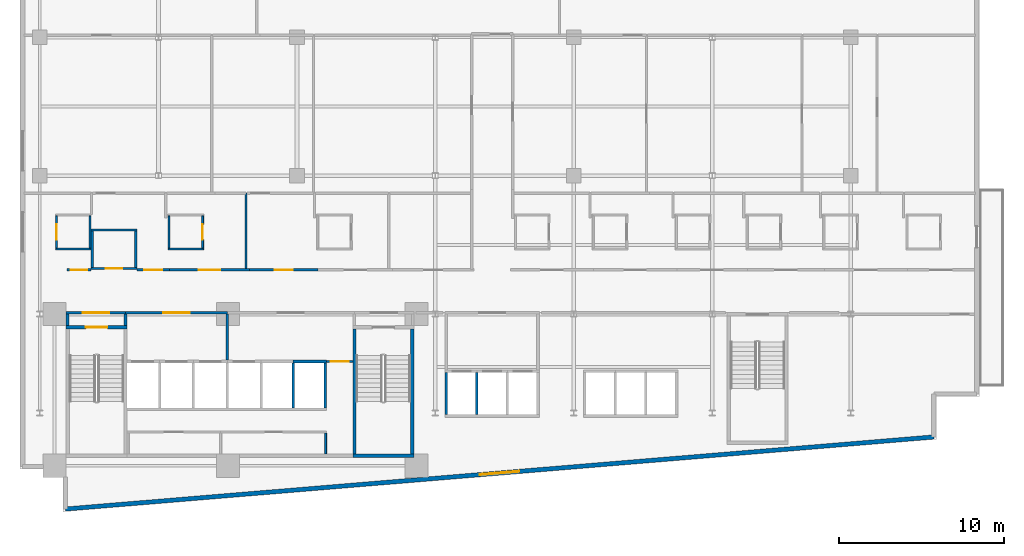
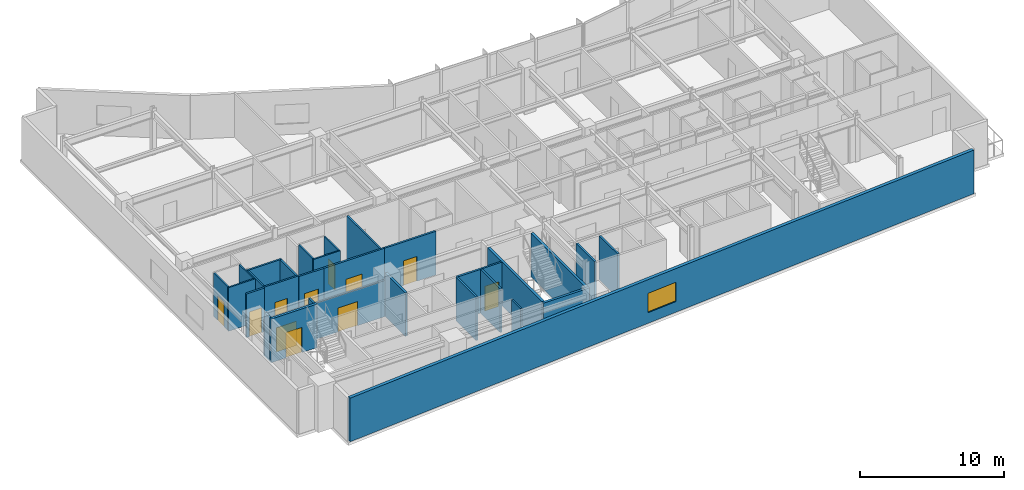
# One storey, part 10 of 19: 32 walls, 11 doors, 1 window, 12 openings.
"""IFC4 building model written with IfcOpenShell, lengths in metres."""

from ifc_helpers import new_model, si_unit, direction, frame, frame_2d, origin, place, context, subcontext, project, spatial, rectangle, extrude, material, layer, layer_set, type_object, element, fill, save


model = new_model("IFC4")

# Units and contexts
model_context = context("Model", 3, precision=1e-05, world=origin(), true_north=direction((0.0, 1.0)))
body_context = subcontext(model_context, "Body", "Model", "MODEL_VIEW")
ifc_project = project(units=[si_unit("LENGTHUNIT", "METRE"), si_unit("AREAUNIT", "SQUARE_METRE"), si_unit("VOLUMEUNIT", "CUBIC_METRE"), si_unit("PLANEANGLEUNIT", "RADIAN"), si_unit("MASSUNIT", "GRAM", prefix="KILO")], contexts=[model_context])

# Site, building, storey
site_placement = place(None, origin())
site = spatial("IfcSite", under=ifc_project, at=site_placement, CompositionType="ELEMENT")
building_placement = place(site_placement, origin())
building = spatial("IfcBuilding", under=site, at=building_placement, Name="Varnakote Quay Hospital", CompositionType="ELEMENT")
storey_placement = place(building_placement, frame((0.0, 0.0, 50.14990234375)))
storey = spatial("IfcBuildingStorey", under=building, at=storey_placement, Name="L12", CompositionType="ELEMENT", Elevation=50.14990234375)

# Wall
ifc_material_1 = material(Name="Fire-rated acoustic gypsum stud wall", Category="gypsum")
ifc_layer_1 = layer(ifc_material_1, 0.159912109375)
ifc_layer_set_1 = layer_set([ifc_layer_1], Name="Fire-rated acoustic gypsum stud wall")
wall_type_1 = type_object("IfcWallType", Name="WL-COMP-160", PredefinedType="PARTITIONING", material=ifc_layer_set_1)
wall_1_placement = place(storey_placement, frame((2.8798828125, 11.300048828125, 0.0), z_axis=(0.0, 0.0, 1.0), x_axis=(0.0, 1.0, 0.0)))
element("IfcWall", 1, at=wall_1_placement, inside=storey, type_object=wall_type_1, Name="L12 West Stair Vestibule West Wall", PredefinedType="PARTITIONING", context=body_context, shape_type="SweptSolid", body=[
    extrude(rectangle(XDim=0.699951171875, YDim=0.159912109375, at=frame_2d((0.35009765625, 0.0))), origin(), (0.0, 0.0, 1.0), 3.710205078125),
])

# Wall, opening, door
wall_2_placement = place(storey_placement, frame((2.800048828125, 12.080078125, 0.0), z_axis=(0.0, 0.0, 1.0), x_axis=(1.0, 0.0, 0.0)))
wall_2 = element("IfcWall", 2, at=wall_2_placement, inside=storey, type_object=wall_type_1, Name="L12 West Stair Vestibule Smoke Wall", PredefinedType="PARTITIONING", context=body_context, shape_type="SweptSolid", body=[
    extrude(rectangle(XDim=3.599853515625, YDim=0.159912109375, at=frame_2d((1.7998046875, 0.0))), origin(), (0.0, 0.0, 1.0), 3.072998046875),
])
opening_1_placement = place(wall_2_placement, frame((1.0, 0.0, 0.0)))
opening_1 = element("IfcOpeningElement", 3, at=opening_1_placement, cuts=wall_2, Name="Opening D-ST1L-L12", PredefinedType="OPENING", context=body_context, shape_type="SweptSolid", body=[
    extrude(rectangle(XDim=1.60009765625, YDim=2.050048828125, at=frame_2d((0.800048828125, 1.02490234375))), frame((0.0, 0.08984375, 0.0), z_axis=(0.0, -1.0, 0.0), x_axis=(1.0, 0.0, 0.0)), (0.0, 0.0, 1.0), 0.179931640625),
])
ifc_material_2 = material(Name="Fire-rated double smoke lobby door")
door_type_1 = type_object("IfcDoorType", Name="DR-LOBBY-FD60S-1600x2150", OperationType="NOTDEFINED", PredefinedType="DOOR", material=ifc_material_2)
door_1_placement = place(opening_1_placement, origin())
door_1 = element("IfcDoor", 4, at=door_1_placement, inside=storey, type_object=door_type_1, Name="L12 West Stair Vestibule Smoke Door", OperationType="DOUBLE_DOOR_SINGLE_SWING", OverallHeight=2.050048828125, OverallWidth=1.60009765625, PredefinedType="DOOR", context=body_context, shape_type="SweptSolid", body=[
    extrude(rectangle(XDim=1.60009765625, YDim=2.050048828125, at=frame_2d((0.800048828125, 1.02490234375))), frame((0.0, 0.02490234375, 0.0), z_axis=(0.0, -1.0, 0.0), x_axis=(1.0, 0.0, 0.0)), (0.0, 0.0, 1.0), 0.050048828125),
])
fill(opening_1, door_1)

# Wall
wall_3_placement = place(storey_placement, frame((6.39990234375, 11.300048828125, 0.0), z_axis=(0.0, 0.0, 1.0), x_axis=(0.0, 1.0, 0.0)))
element("IfcWall", 5, at=wall_3_placement, inside=storey, type_object=wall_type_1, Name="L12 Firefighting Lobby West Wall", PredefinedType="PARTITIONING", context=body_context, shape_type="SweptSolid", body=[
    extrude(rectangle(XDim=0.699951171875, YDim=0.159912109375, at=frame_2d((0.35009765625, 0.0))), origin(), (0.0, 0.0, 1.0), 3.710205078125),
])

# Wall, opening, door
wall_4_placement = place(storey_placement, frame((6.39990234375, 12.080078125, 0.0), z_axis=(0.0, 0.0, 1.0), x_axis=(1.0, 0.0, 0.0)))
wall_4 = element("IfcWall", 6, at=wall_4_placement, inside=storey, type_object=wall_type_1, Name="L12 Firefighting Lift Lobby Compartment Wall", PredefinedType="PARTITIONING", context=body_context, shape_type="SweptSolid", body=[
    extrude(rectangle(XDim=6.18017578125, YDim=0.159912109375, at=frame_2d((3.090087890625, 0.0))), origin(), (0.0, 0.0, 1.0), 3.072998046875),
])
opening_2_placement = place(wall_4_placement, frame((2.2900390625, 0.0, 0.0)))
opening_2 = element("IfcOpeningElement", 7, at=opening_2_placement, cuts=wall_4, Name="Opening D-FFL-L12", PredefinedType="OPENING", context=body_context, shape_type="SweptSolid", body=[
    extrude(rectangle(XDim=1.60009765625, YDim=2.050048828125, at=frame_2d((0.800048828125, 1.02490234375))), frame((0.0, 0.08984375, 0.0), z_axis=(0.0, -1.0, 0.0), x_axis=(1.0, 0.0, 0.0)), (0.0, 0.0, 1.0), 0.179931640625),
])
door_2_placement = place(opening_2_placement, origin())
door_2 = element("IfcDoor", 8, at=door_2_placement, inside=storey, type_object=door_type_1, Name="L12 Firefighting Smoke Vestibule Door", OperationType="DOUBLE_DOOR_SINGLE_SWING", OverallHeight=2.050048828125, OverallWidth=1.60009765625, PredefinedType="DOOR", context=body_context, shape_type="SweptSolid", body=[
    extrude(rectangle(XDim=1.60009765625, YDim=2.050048828125, at=frame_2d((0.800048828125, 1.02490234375))), frame((0.0, 0.02490234375, 0.0), z_axis=(0.0, -1.0, 0.0), x_axis=(1.0, 0.0, 0.0)), (0.0, 0.0, 1.0), 0.050048828125),
])
fill(opening_2, door_2)

# Walls
wall_5_placement = place(storey_placement, frame((12.580078125, 9.2099609375, 0.0), z_axis=(0.0, 0.0, 1.0), x_axis=(0.0, 1.0, 0.0)))
element("IfcWall", 9, at=wall_5_placement, inside=storey, type_object=wall_type_1, Name="L12 Firefighting to Service Lobby Wall", PredefinedType="PARTITIONING", context=body_context, shape_type="SweptSolid", body=[
    extrude(rectangle(XDim=2.7900390625, YDim=0.159912109375, at=frame_2d((1.39501953125, 0.0))), origin(), (0.0, 0.0, 1.0), 3.710205078125),
])
ifc_material_3 = material(Name="Moisture-resistant bathroom partition", Category="gypsum")
ifc_layer_2 = layer(ifc_material_3, 0.114990234375)
ifc_layer_set_2 = layer_set([ifc_layer_2], Name="Moisture-resistant bathroom partition")
wall_type_2 = type_object("IfcWallType", Name="WL-ENS-115", PredefinedType="PARTITIONING", material=ifc_layer_set_2)
wall_6_placement = place(storey_placement, frame((2.155029296875, 15.952392578125, 0.0), z_axis=(0.0, 0.0, 1.0), x_axis=(1.0, 0.0, 0.0)))
element("IfcWall", 10, at=wall_6_placement, inside=storey, type_object=wall_type_2, Name="L12 Inpatient En-Suite Bathroom 01 S Wall", PredefinedType="PARTITIONING", context=body_context, shape_type="SweptSolid", body=[
    extrude(rectangle(XDim=2.14990234375, YDim=0.114990234375, at=frame_2d((1.074951171875, 0.0))), origin(), (0.0, 0.0, 1.0), 3.710205078125),
])

# Wall, opening, door
wall_7_placement = place(storey_placement, frame((2.21240234375, 16.010009765625, 0.0), z_axis=(0.0, 0.0, 1.0), x_axis=(0.0, 1.0, 0.0)))
wall_7 = element("IfcWall", 11, at=wall_7_placement, inside=storey, type_object=wall_type_2, Name="L12 Inpatient En-Suite Bathroom 01 W Wall", PredefinedType="PARTITIONING", context=body_context, shape_type="SweptSolid", body=[
    extrude(rectangle(XDim=1.949951171875, YDim=0.114990234375, at=frame_2d((0.97509765625, 0.0))), origin(), (0.0, 0.0, 1.0), 3.710205078125),
])
opening_3_placement = place(wall_7_placement, frame((0.514892578125, 0.0, 0.0)))
opening_3 = element("IfcOpeningElement", 12, at=opening_3_placement, cuts=wall_7, Name="Opening D-L12-ENS01", PredefinedType="OPENING", context=body_context, shape_type="SweptSolid", body=[
    extrude(rectangle(XDim=0.919921875, YDim=2.10009765625, at=frame_2d((0.4599609375, 1.050048828125))), frame((0.0, 0.0673828125, 0.0), z_axis=(0.0, -1.0, 0.0), x_axis=(1.0, 0.0, 0.0)), (0.0, 0.0, 1.0), 0.135009765625),
])
ifc_material_4 = material(Name="Moisture-sealed en-suite bathroom door")
door_type_2 = type_object("IfcDoorType", Name="DR-ENS-920x2100", OperationType="NOTDEFINED", PredefinedType="DOOR", material=ifc_material_4)
door_3_placement = place(opening_3_placement, origin())
door_3 = element("IfcDoor", 13, at=door_3_placement, inside=storey, type_object=door_type_2, Name="L12 Inpatient En-Suite Bathroom 01 Door", OperationType="SINGLE_SWING_LEFT", OverallHeight=2.10009765625, OverallWidth=0.919921875, PredefinedType="DOOR", context=body_context, shape_type="SweptSolid", body=[
    extrude(rectangle(XDim=0.919921875, YDim=2.10009765625, at=frame_2d((0.4599609375, 1.050048828125))), frame((0.0, 0.02490234375, 0.0), z_axis=(0.0, -1.0, 0.0), x_axis=(1.0, 0.0, 0.0)), (0.0, 0.0, 1.0), 0.050048828125),
])
fill(opening_3, door_3)

# Walls
wall_8_placement = place(storey_placement, frame((4.24755859375, 16.010009765625, 0.0), z_axis=(0.0, 0.0, 1.0), x_axis=(0.0, 1.0, 0.0)))
element("IfcWall", 14, at=wall_8_placement, inside=storey, type_object=wall_type_2, Name="L12 Inpatient En-Suite Bathroom 01 E Wall", PredefinedType="PARTITIONING", context=body_context, shape_type="SweptSolid", body=[
    extrude(rectangle(XDim=1.949951171875, YDim=0.114990234375, at=frame_2d((0.97509765625, 0.0))), origin(), (0.0, 0.0, 1.0), 3.710205078125),
])
wall_9_placement = place(storey_placement, frame((8.985107421875, 15.952392578125, 0.0), z_axis=(0.0, 0.0, 1.0), x_axis=(1.0, 0.0, 0.0)))
element("IfcWall", 15, at=wall_9_placement, inside=storey, type_object=wall_type_2, Name="L12 Inpatient En-Suite Bathroom 02 S Wall", PredefinedType="PARTITIONING", context=body_context, shape_type="SweptSolid", body=[
    extrude(rectangle(XDim=2.14990234375, YDim=0.114990234375, at=frame_2d((1.074951171875, 0.0))), origin(), (0.0, 0.0, 1.0), 3.710205078125),
])
wall_10_placement = place(storey_placement, frame((9.04248046875, 16.010009765625, 0.0), z_axis=(0.0, 0.0, 1.0), x_axis=(0.0, 1.0, 0.0)))
element("IfcWall", 16, at=wall_10_placement, inside=storey, type_object=wall_type_2, Name="L12 Inpatient En-Suite Bathroom 02 W Wall", PredefinedType="PARTITIONING", context=body_context, shape_type="SweptSolid", body=[
    extrude(rectangle(XDim=1.949951171875, YDim=0.114990234375, at=frame_2d((0.97509765625, 0.0))), origin(), (0.0, 0.0, 1.0), 3.710205078125),
])

# Wall, opening, door
wall_11_placement = place(storey_placement, frame((11.077392578125, 16.010009765625, 0.0), z_axis=(0.0, 0.0, 1.0), x_axis=(0.0, 1.0, 0.0)))
wall_11 = element("IfcWall", 17, at=wall_11_placement, inside=storey, type_object=wall_type_2, Name="L12 Inpatient En-Suite Bathroom 02 E Wall", PredefinedType="PARTITIONING", context=body_context, shape_type="SweptSolid", body=[
    extrude(rectangle(XDim=1.949951171875, YDim=0.114990234375, at=frame_2d((0.97509765625, 0.0))), origin(), (0.0, 0.0, 1.0), 3.710205078125),
])
opening_4_placement = place(wall_11_placement, frame((0.514892578125, 0.0, 0.0)))
opening_4 = element("IfcOpeningElement", 18, at=opening_4_placement, cuts=wall_11, Name="Opening D-L12-ENS02", PredefinedType="OPENING", context=body_context, shape_type="SweptSolid", body=[
    extrude(rectangle(XDim=0.919921875, YDim=2.10009765625, at=frame_2d((0.4599609375, 1.050048828125))), frame((0.0, 0.0673828125, 0.0), z_axis=(0.0, -1.0, 0.0), x_axis=(1.0, 0.0, 0.0)), (0.0, 0.0, 1.0), 0.135009765625),
])
door_4_placement = place(opening_4_placement, origin())
door_4 = element("IfcDoor", 19, at=door_4_placement, inside=storey, type_object=door_type_2, Name="L12 Inpatient En-Suite Bathroom 02 Door", OperationType="SINGLE_SWING_RIGHT", OverallHeight=2.10009765625, OverallWidth=0.919921875, PredefinedType="DOOR", context=body_context, shape_type="SweptSolid", body=[
    extrude(rectangle(XDim=0.919921875, YDim=2.10009765625, at=frame_2d((0.4599609375, 1.050048828125))), frame((0.0, 0.02490234375, 0.0), z_axis=(0.0, -1.0, 0.0), x_axis=(1.0, 0.0, 0.0)), (0.0, 0.0, 1.0), 0.050048828125),
])
fill(opening_4, door_4)

# Wall, opening, window
ifc_material_5 = material(Name="Precast concrete N50 (f'c 50 MPa)", Category="concrete")
ifc_layer_3 = layer(ifc_material_5, 0.260009765625)
ifc_layer_set_3 = layer_set([ifc_layer_3], Name="Precast concrete N50 (f'c 50 MPa)")
wall_type_3 = type_object("IfcWallType", Name="WL-EXT-BRICK-260", PredefinedType="STANDARD", material=ifc_layer_set_3)
wall_12_placement = place(storey_placement, frame((2.760009765625, 0.173828125, 0.0), z_axis=(0.0, 0.0, 1.0), x_axis=(0.996571478456, 0.082736257641, 0.0)))
wall_12 = element("IfcWall", 20, at=wall_12_placement, inside=storey, type_object=wall_type_3, Name="L12 Brick-Faced Precast Exterior Wall", PredefinedType="STANDARD", context=body_context, shape_type="SweptSolid", body=[
    extrude(rectangle(XDim=52.861083984375, YDim=0.260009765625, at=frame_2d((26.4306640625, 0.0))), origin(), (0.0, 0.0, 1.0), 3.710205078125),
])
opening_5_placement = place(wall_12_placement, frame((25.230712890625, 0.0, 0.89990234375)))
opening_5 = element("IfcOpeningElement", 21, at=opening_5_placement, cuts=wall_12, Name="Opening WN-0062", PredefinedType="OPENING", context=body_context, shape_type="SweptSolid", body=[
    extrude(rectangle(XDim=2.39990234375, YDim=1.64990234375, at=frame_2d((1.199951171875, 0.824951171875))), frame((0.0, 0.139892578125, 0.0), z_axis=(0.0, -1.0, 0.0), x_axis=(1.0, 0.0, 0.0)), (0.0, 0.0, 1.0), 0.280029296875),
])
ifc_material_6 = material(Name="Double-glazed low-E solar glass", Category="glass")
window_type = type_object("IfcWindowType", Name="WIN-CLIN-2400x1650", PartitioningType="SINGLE_PANEL", PredefinedType="WINDOW", material=ifc_material_6)
window_placement = place(opening_5_placement, origin())
window = element("IfcWindow", 22, at=window_placement, inside=storey, type_object=window_type, Name="L12 Solar-Control Clinical Window", OverallHeight=1.64990234375, OverallWidth=2.39990234375, PartitioningType="SINGLE_PANEL", PredefinedType="WINDOW", context=body_context, shape_type="SweptSolid", body=[
    extrude(rectangle(XDim=2.39990234375, YDim=1.64990234375, at=frame_2d((1.199951171875, 0.824951171875))), frame((0.0, 0.030029296875, 0.0), z_axis=(0.0, -1.0, 0.0), x_axis=(1.0, 0.0, 0.0)), (0.0, 0.0, 1.0), 0.06005859375),
])
fill(opening_5, window)

# Walls
ifc_material_7 = material(Name="Concrete N50 (f'c 50 MPa)", Category="concrete")
ifc_layer_4 = layer(ifc_material_7, 0.14990234375)
ifc_layer_set_4 = layer_set([ifc_layer_4], Name="Concrete N50 (f'c 50 MPa)")
wall_type_4 = type_object("IfcWallType", Name="WL-SHAFT-N50-150", PredefinedType="SHEAR", material=ifc_layer_set_4)
wall_13_placement = place(storey_placement, frame((16.574951171875, 6.300048828125, 0.0), z_axis=(0.0, 0.0, 1.0), x_axis=(0.0, 1.0, 0.0)))
element("IfcWall", 23, at=wall_13_placement, inside=storey, type_object=wall_type_4, Name="L12 LF-PH1 Hoistway Divider Wall", PredefinedType="SHEAR", context=body_context, shape_type="SweptSolid", body=[
    extrude(rectangle(XDim=2.75, YDim=0.14990234375, at=frame_2d((1.375, 0.0))), origin(), (0.0, 0.0, 1.0), 3.710205078125),
])
wall_14_placement = place(storey_placement, frame((27.72509765625, 5.89990234375, 0.0), z_axis=(0.0, 0.0, 1.0), x_axis=(0.0, 1.0, 0.0)))
element("IfcWall", 24, at=wall_14_placement, inside=storey, type_object=wall_type_4, Name="L12 LF-PL1 Hoistway Divider Wall", PredefinedType="SHEAR", context=body_context, shape_type="SweptSolid", body=[
    extrude(rectangle(XDim=2.550048828125, YDim=0.14990234375, at=frame_2d((1.27490234375, 0.0))), origin(), (0.0, 0.0, 1.0), 3.710205078125),
])
ifc_material_8 = material(Name="Concrete N50 (f'c 50 MPa)", Category="concrete")
ifc_layer_5 = layer(ifc_material_8, 0.159912109375)
ifc_layer_set_5 = layer_set([ifc_layer_5], Name="Concrete N50 (f'c 50 MPa)")
wall_type_5 = type_object("IfcWallType", Name="WL-SHAFT-N50-160", PredefinedType="SHEAR", material=ifc_layer_set_5)
wall_15_placement = place(storey_placement, frame((18.530029296875, 6.300048828125, 0.0), z_axis=(0.0, 0.0, 1.0), x_axis=(0.0, 1.0, 0.0)))
element("IfcWall", 25, at=wall_15_placement, inside=storey, type_object=wall_type_5, Name="L12 REAR Lift Bank East Shear Wall", PredefinedType="SHEAR", context=body_context, shape_type="SweptSolid", body=[
    extrude(rectangle(XDim=2.75, YDim=0.159912109375, at=frame_2d((1.375, 0.0))), origin(), (0.0, 0.0, 1.0), 3.710205078125),
])
wall_16_placement = place(storey_placement, frame((16.574951171875, 9.1298828125, 0.0), z_axis=(0.0, 0.0, 1.0), x_axis=(1.0, 0.0, 0.0)))
element("IfcWall", 26, at=wall_16_placement, inside=storey, type_object=wall_type_5, Name="L12 LF-PH2 Hoistway Front Wall", PredefinedType="SHEAR", context=body_context, shape_type="SweptSolid", body=[
    extrude(rectangle(XDim=2.03515625, YDim=0.159912109375, at=frame_2d((1.017578125, 0.0))), origin(), (0.0, 0.0, 1.0), 3.710205078125),
])
wall_17_placement = place(storey_placement, frame((25.8701171875, 5.89990234375, 0.0), z_axis=(0.0, 0.0, 1.0), x_axis=(0.0, 1.0, 0.0)))
element("IfcWall", 27, at=wall_17_placement, inside=storey, type_object=wall_type_5, Name="L12 LOW Lift Bank West Shear Wall", PredefinedType="SHEAR", context=body_context, shape_type="SweptSolid", body=[
    extrude(rectangle(XDim=2.550048828125, YDim=0.159912109375, at=frame_2d((1.27490234375, 0.0))), origin(), (0.0, 0.0, 1.0), 3.710205078125),
])

# Wall, opening, door
ifc_material_9 = material(Name="Concrete N50 (f'c 50 MPa)", Category="concrete")
ifc_layer_6 = layer(ifc_material_9, 0.199951171875)
ifc_layer_set_6 = layer_set([ifc_layer_6], Name="Concrete N50 (f'c 50 MPa)")
wall_type_6 = type_object("IfcWallType", Name="WL-SHAFT-N50-200", PredefinedType="SHEAR", material=ifc_layer_set_6)
wall_18_placement = place(storey_placement, frame((2.800048828125, 11.199951171875, 0.0), z_axis=(0.0, 0.0, 1.0), x_axis=(1.0, 0.0, 0.0)))
wall_18 = element("IfcWall", 28, at=wall_18_placement, inside=storey, type_object=wall_type_6, Name="L12 Stair ST1 Exit Wall", PredefinedType="SHEAR", context=body_context, shape_type="SweptSolid", body=[
    extrude(rectangle(XDim=3.699951171875, YDim=0.199951171875, at=frame_2d((1.85009765625, 0.0))), origin(), (0.0, 0.0, 1.0), 3.710205078125),
])
opening_6_placement = place(wall_18_placement, frame((1.199951171875, 0.0, 0.0)))
opening_6 = element("IfcOpeningElement", 29, at=opening_6_placement, cuts=wall_18, Name="Opening D-ST1-L12", PredefinedType="OPENING", context=body_context, shape_type="SweptSolid", body=[
    extrude(rectangle(XDim=1.300048828125, YDim=2.14990234375, at=frame_2d((0.64990234375, 1.074951171875))), frame((0.0, 0.10986328125, 0.0), z_axis=(0.0, -1.0, 0.0), x_axis=(1.0, 0.0, 0.0)), (0.0, 0.0, 1.0), 0.219970703125),
])
ifc_material_10 = material(Name="Fire-rated ceramic-glazed timber exit door", Category="wood")
door_type_3 = type_object("IfcDoorType", Name="DR-STAIR-FD60S-1300x2150", OperationType="NOTDEFINED", PredefinedType="DOOR", material=ifc_material_10)
door_5_placement = place(opening_6_placement, origin())
door_5 = element("IfcDoor", 30, at=door_5_placement, inside=storey, type_object=door_type_3, Name="L12 Stair ST1 Fire Exit Door", OperationType="SINGLE_SWING_RIGHT", OverallHeight=2.14990234375, OverallWidth=1.300048828125, PredefinedType="DOOR", context=body_context, shape_type="SweptSolid", body=[
    extrude(rectangle(XDim=1.300048828125, YDim=2.14990234375, at=frame_2d((0.64990234375, 1.074951171875))), frame((0.0, 0.02490234375, 0.0), z_axis=(0.0, -1.0, 0.0), x_axis=(1.0, 0.0, 0.0)), (0.0, 0.0, 1.0), 0.050048828125),
])
fill(opening_6, door_5)

# Walls
wall_19_placement = place(storey_placement, frame((20.199951171875, 3.39990234375, 0.0), z_axis=(0.0, 0.0, 1.0), x_axis=(1.0, 0.0, 0.0)))
element("IfcWall", 31, at=wall_19_placement, inside=storey, type_object=wall_type_6, Name="L12 Stair ST2 South Shaft Wall", PredefinedType="SHEAR", context=body_context, shape_type="SweptSolid", body=[
    extrude(rectangle(XDim=3.699951171875, YDim=0.199951171875, at=frame_2d((1.85009765625, 0.0))), origin(), (0.0, 0.0, 1.0), 3.710205078125),
])
for number, where, z_axis, x_axis, name in (
    (32, (20.300048828125, 3.5, 0.0), (0.0, 0.0, 1.0), (0.0, 1.0, 0.0), "L12 Stair ST2 West Shaft Wall"),
    (33, (23.800048828125, 3.5, 0.0), (0.0, 0.0, 1.0), (0.0, 1.0, 0.0), "L12 Stair ST2 East Shaft Wall"),
):
    element("IfcWall", number, at=place(storey_placement, frame(where, z_axis=z_axis, x_axis=x_axis)), inside=storey, type_object=wall_type_6, Name=name, PredefinedType="SHEAR", context=body_context, shape_type="SweptSolid", body=[
        extrude(rectangle(XDim=7.60009765625, YDim=0.199951171875, at=frame_2d((3.800048828125, 0.0))), origin(), (0.0, 0.0, 1.0), 3.710205078125),
    ])
ifc_material_11 = material(Name="Smoke-proof clinical partition", Category="gypsum")
ifc_layer_7 = layer(ifc_material_11, 0.1201171875)
ifc_layer_set_7 = layer_set([ifc_layer_7], Name="Smoke-proof clinical partition")
wall_type_7 = type_object("IfcWallType", Name="WL-SMOKE-120", PredefinedType="PARTITIONING", material=ifc_layer_set_7)
wall_20_placement = place(storey_placement, frame((18.5400390625, 3.52001953125, 0.0), z_axis=(0.0, 0.0, 1.0), x_axis=(0.0, 1.0, 0.0)))
element("IfcWall", 34, at=wall_20_placement, inside=storey, type_object=wall_type_7, Name="L12 Core South Service East Wall", PredefinedType="PARTITIONING", context=body_context, shape_type="SweptSolid", body=[
    extrude(rectangle(XDim=1.260009765625, YDim=0.1201171875, at=frame_2d((0.6298828125, 0.0))), origin(), (0.0, 0.0, 1.0), 3.710205078125),
])
ifc_material_12 = material(Name="Smoke-proof clinical partition", Category="gypsum")
ifc_layer_8 = layer(ifc_material_12, 0.135009765625)
ifc_layer_set_8 = layer_set([ifc_layer_8], Name="Smoke-proof clinical partition")
wall_type_8 = type_object("IfcWallType", Name="WL-SMOKE-135", PredefinedType="PARTITIONING", material=ifc_layer_set_8)
wall_21_placement = place(storey_placement, frame((13.7099609375, 14.760009765625, 0.0), z_axis=(0.0, 0.0, 1.0), x_axis=(0.0, 1.0, 0.0)))
element("IfcWall", 35, at=wall_21_placement, inside=storey, type_object=wall_type_8, Name="L12 Clinical Interior Partition", PredefinedType="PARTITIONING", context=body_context, shape_type="SweptSolid", body=[
    extrude(rectangle(XDim=4.580078125, YDim=0.135009765625, at=frame_2d((2.2900390625, 0.0))), origin(), (0.0, 0.0, 1.0), 3.710205078125),
])

# Wall, opening, door
ifc_material_13 = material(Name="Fire-rated clinical gypsum partition", Category="gypsum")
ifc_layer_9 = layer(ifc_material_13, 0.139892578125)
ifc_layer_set_9 = layer_set([ifc_layer_9], Name="Fire-rated clinical gypsum partition")
wall_type_9 = type_object("IfcWallType", Name="WL-WARD-140", PredefinedType="PARTITIONING", material=ifc_layer_set_9)
wall_22_placement = place(storey_placement, frame((18.610107421875, 9.1298828125, 0.0), z_axis=(0.0, 0.0, 1.0), x_axis=(1.0, 0.0, 0.0)))
wall_22 = element("IfcWall", 36, at=wall_22_placement, inside=storey, type_object=wall_type_9, Name="L12 Core Service Corridor North Door Wall", PredefinedType="PARTITIONING", context=body_context, shape_type="SweptSolid", body=[
    extrude(rectangle(XDim=1.58984375, YDim=0.139892578125, at=frame_2d((0.794921875, 0.0))), origin(), (0.0, 0.0, 1.0), 3.710205078125),
])
opening_7_placement = place(wall_22_placement, frame((0.239990234375, 0.0, 0.0)))
opening_7 = element("IfcOpeningElement", 37, at=opening_7_placement, cuts=wall_22, Name="Opening D-CSRV-L12", PredefinedType="OPENING", context=body_context, shape_type="SweptSolid", body=[
    extrude(rectangle(XDim=1.10009765625, YDim=2.10009765625, at=frame_2d((0.550048828125, 1.050048828125))), frame((0.0, 0.079833984375, 0.0), z_axis=(0.0, -1.0, 0.0), x_axis=(1.0, 0.0, 0.0)), (0.0, 0.0, 1.0), 0.159912109375),
])
ifc_material_14 = material(Name="Acoustic timber clinical consult door", Category="wood")
door_type_4 = type_object("IfcDoorType", Name="DR-CLIN-FD30S-1100x2100", OperationType="NOTDEFINED", PredefinedType="DOOR", material=ifc_material_14)
door_6_placement = place(opening_7_placement, origin())
door_6 = element("IfcDoor", 38, at=door_6_placement, inside=storey, type_object=door_type_4, Name="L12 Core Service Corridor Door", OperationType="SINGLE_SWING_LEFT", OverallHeight=2.10009765625, OverallWidth=1.10009765625, PredefinedType="DOOR", context=body_context, shape_type="SweptSolid", body=[
    extrude(rectangle(XDim=1.10009765625, YDim=2.10009765625, at=frame_2d((0.550048828125, 1.050048828125))), frame((0.0, 0.02490234375, 0.0), z_axis=(0.0, -1.0, 0.0), x_axis=(1.0, 0.0, 0.0)), (0.0, 0.0, 1.0), 0.050048828125),
])
fill(opening_7, door_6)

wall_23_placement = place(storey_placement, frame((4.31005859375, 14.77001953125, 0.0), z_axis=(0.0, 0.0, 1.0), x_axis=(1.0, 0.0, 0.0)))
wall_23 = element("IfcWall", 39, at=wall_23_placement, inside=storey, type_object=wall_type_9, Name="L12 Floor Unisex Accessible WC S Wall", PredefinedType="PARTITIONING", context=body_context, shape_type="SweptSolid", body=[
    extrude(rectangle(XDim=2.780029296875, YDim=0.139892578125, at=frame_2d((1.39013671875, 0.0))), origin(), (0.0, 0.0, 1.0), 3.710205078125),
])
opening_8_placement = place(wall_23_placement, frame((0.89990234375, 0.0, 0.0)))
opening_8 = element("IfcOpeningElement", 40, at=opening_8_placement, cuts=wall_23, Name="Opening D-L12-EW01", PredefinedType="OPENING", context=body_context, shape_type="SweptSolid", body=[
    extrude(rectangle(XDim=0.97998046875, YDim=2.10009765625, at=frame_2d((0.489990234375, 1.050048828125))), frame((0.0, 0.079833984375, 0.0), z_axis=(0.0, -1.0, 0.0), x_axis=(1.0, 0.0, 0.0)), (0.0, 0.0, 1.0), 0.159912109375),
])
ifc_material_15 = material(Name="Accessible sanitary compartment door")
door_type_5 = type_object("IfcDoorType", Name="DR-WC-980x2100", OperationType="NOTDEFINED", PredefinedType="DOOR", material=ifc_material_15)
door_7_placement = place(opening_8_placement, origin())
door_7 = element("IfcDoor", 41, at=door_7_placement, inside=storey, type_object=door_type_5, Name="L12 Floor Unisex Accessible WC Door", OperationType="SINGLE_SWING_RIGHT", OverallHeight=2.10009765625, OverallWidth=0.97998046875, PredefinedType="DOOR", context=body_context, shape_type="SweptSolid", body=[
    extrude(rectangle(XDim=0.97998046875, YDim=2.10009765625, at=frame_2d((0.489990234375, 1.050048828125))), frame((0.0, 0.02490234375, 0.0), z_axis=(0.0, -1.0, 0.0), x_axis=(1.0, 0.0, 0.0)), (0.0, 0.0, 1.0), 0.050048828125),
])
fill(opening_8, door_7)

# Walls
wall_24_placement = place(storey_placement, frame((4.31005859375, 17.110107421875, 0.0), z_axis=(0.0, 0.0, 1.0), x_axis=(1.0, 0.0, 0.0)))
element("IfcWall", 42, at=wall_24_placement, inside=storey, type_object=wall_type_9, Name="L12 Floor Unisex Accessible WC N Wall", PredefinedType="PARTITIONING", context=body_context, shape_type="SweptSolid", body=[
    extrude(rectangle(XDim=2.780029296875, YDim=0.139892578125, at=frame_2d((1.39013671875, 0.0))), origin(), (0.0, 0.0, 1.0), 3.710205078125),
])
for number, where, z_axis, x_axis, name in (
    (43, (4.3798828125, 14.840087890625, 0.0), (0.0, 0.0, 1.0), (0.0, 1.0, 0.0), "L12 Floor Unisex Accessible WC W Wall"),
    (44, (7.02001953125, 14.840087890625, 0.0), (0.0, 0.0, 1.0), (0.0, 1.0, 0.0), "L12 Floor Unisex Accessible WC E Wall"),
):
    element("IfcWall", number, at=place(storey_placement, frame(where, z_axis=z_axis, x_axis=x_axis)), inside=storey, type_object=wall_type_9, Name=name, PredefinedType="PARTITIONING", context=body_context, shape_type="SweptSolid", body=[
        extrude(rectangle(XDim=2.199951171875, YDim=0.139892578125, at=frame_2d((1.10009765625, 0.0))), origin(), (0.0, 0.0, 1.0), 3.710205078125),
    ])

# Wall, opening, door
ifc_material_16 = material(Name="Fire-rated clinical gypsum partition", Category="gypsum")
ifc_layer_10 = layer(ifc_material_16, 0.14990234375)
ifc_layer_set_10 = layer_set([ifc_layer_10], Name="Fire-rated clinical gypsum partition")
wall_type_10 = type_object("IfcWallType", Name="WL-WARD-150", PredefinedType="PARTITIONING", material=ifc_layer_set_10)
wall_25_placement = place(storey_placement, frame((4.30810546875, 14.679931640625, 0.0), z_axis=(0.0, 0.0, 1.0), x_axis=(-1.0, 0.0, 0.0)))
wall_25 = element("IfcWall", 45, at=wall_25_placement, inside=storey, type_object=wall_type_10, Name="L12 Clinical Interior Partition", PredefinedType="PARTITIONING", context=body_context, shape_type="SweptSolid", body=[
    extrude(rectangle(XDim=1.4580078125, YDim=0.14990234375, at=frame_2d((0.72900390625, 0.0))), origin(), (0.0, 0.0, 1.0), 3.710205078125),
])
opening_9_placement = place(wall_25_placement, frame((0.239013671875, 0.0, 0.0)))
opening_9 = element("IfcOpeningElement", 46, at=opening_9_placement, cuts=wall_25, Name="Opening D-L12-BR01", PredefinedType="OPENING", context=body_context, shape_type="SweptSolid", body=[
    extrude(rectangle(XDim=0.97998046875, YDim=2.10009765625, at=frame_2d((0.489990234375, 1.050048828125))), frame((0.0, 0.0849609375, 0.0), z_axis=(0.0, -1.0, 0.0), x_axis=(1.0, 0.0, 0.0)), (0.0, 0.0, 1.0), 0.169921875),
])
door_8_placement = place(opening_9_placement, origin())
door_8 = element("IfcDoor", 47, at=door_8_placement, inside=storey, type_object=door_type_5, Name="L12 Resident Care Bedroom 01 Door", OperationType="SINGLE_SWING_LEFT", OverallHeight=2.10009765625, OverallWidth=0.97998046875, PredefinedType="DOOR", context=body_context, shape_type="SweptSolid", body=[
    extrude(rectangle(XDim=0.97998046875, YDim=2.10009765625, at=frame_2d((0.489990234375, 1.050048828125))), frame((0.0, 0.02490234375, 0.0), z_axis=(0.0, -1.0, 0.0), x_axis=(1.0, 0.0, 0.0)), (0.0, 0.0, 1.0), 0.050048828125),
])
fill(opening_9, door_8)

wall_26_placement = place(storey_placement, frame((9.06591796875, 14.679931640625, 0.0), z_axis=(0.0, 0.0, 1.0), x_axis=(-1.0, 0.0, 0.0)))
wall_26 = element("IfcWall", 48, at=wall_26_placement, inside=storey, type_object=wall_type_10, Name="L12 Clinical Interior Partition", PredefinedType="PARTITIONING", context=body_context, shape_type="SweptSolid", body=[
    extrude(rectangle(XDim=1.973876953125, YDim=0.14990234375, at=frame_2d((0.98681640625, 0.0))), origin(), (0.0, 0.0, 1.0), 3.710205078125),
])
opening_10_placement = place(wall_26_placement, frame((0.43701171875, 0.0, 0.0)))
opening_10 = element("IfcOpeningElement", 49, at=opening_10_placement, cuts=wall_26, Name="Opening D-L12-MD01", PredefinedType="OPENING", context=body_context, shape_type="SweptSolid", body=[
    extrude(rectangle(XDim=1.10009765625, YDim=2.10009765625, at=frame_2d((0.550048828125, 1.050048828125))), frame((0.0, 0.0849609375, 0.0), z_axis=(0.0, -1.0, 0.0), x_axis=(1.0, 0.0, 0.0)), (0.0, 0.0, 1.0), 0.169921875),
])
door_9_placement = place(opening_10_placement, origin())
door_9 = element("IfcDoor", 50, at=door_9_placement, inside=storey, type_object=door_type_4, Name="L12 Multidisciplinary Clinical Consultation Suite Door", OperationType="SINGLE_SWING_RIGHT", OverallHeight=2.10009765625, OverallWidth=1.10009765625, PredefinedType="DOOR", context=body_context, shape_type="SweptSolid", body=[
    extrude(rectangle(XDim=1.10009765625, YDim=2.10009765625, at=frame_2d((0.550048828125, 1.050048828125))), frame((0.0, 0.02490234375, 0.0), z_axis=(0.0, -1.0, 0.0), x_axis=(1.0, 0.0, 0.0)), (0.0, 0.0, 1.0), 0.050048828125),
])
fill(opening_10, door_9)

wall_27_placement = place(storey_placement, frame((13.93603515625, 14.679931640625, 0.0), z_axis=(0.0, 0.0, 1.0), x_axis=(-1.0, 0.0, 0.0)))
wall_27 = element("IfcWall", 51, at=wall_27_placement, inside=storey, type_object=wall_type_10, Name="L12 Clinical Interior Partition", PredefinedType="PARTITIONING", context=body_context, shape_type="SweptSolid", body=[
    extrude(rectangle(XDim=4.867919921875, YDim=0.14990234375, at=frame_2d((2.43408203125, 0.0))), origin(), (0.0, 0.0, 1.0), 3.710205078125),
])
opening_11_placement = place(wall_27_placement, frame((1.783935546875, 0.0, 0.0)))
opening_11 = element("IfcOpeningElement", 52, at=opening_11_placement, cuts=wall_27, Name="Opening D-L12-BR02", PredefinedType="OPENING", context=body_context, shape_type="SweptSolid", body=[
    extrude(rectangle(XDim=1.300048828125, YDim=2.14990234375, at=frame_2d((0.64990234375, 1.074951171875))), frame((0.0, 0.0849609375, 0.0), z_axis=(0.0, -1.0, 0.0), x_axis=(1.0, 0.0, 0.0)), (0.0, 0.0, 1.0), 0.169921875),
])
ifc_material_17 = material(Name="Solid-core timber clinical bed door", Category="wood")
door_type_6 = type_object("IfcDoorType", Name="DR-WARD-FD30S-1300x2150", OperationType="NOTDEFINED", PredefinedType="DOOR", material=ifc_material_17)
door_10_placement = place(opening_11_placement, origin())
door_10 = element("IfcDoor", 53, at=door_10_placement, inside=storey, type_object=door_type_6, Name="L12 Resident Care Bedroom 02 Door", OperationType="SINGLE_SWING_LEFT", OverallHeight=2.14990234375, OverallWidth=1.300048828125, PredefinedType="DOOR", context=body_context, shape_type="SweptSolid", body=[
    extrude(rectangle(XDim=1.300048828125, YDim=2.14990234375, at=frame_2d((0.64990234375, 1.074951171875))), frame((0.0, 0.02490234375, 0.0), z_axis=(0.0, -1.0, 0.0), x_axis=(1.0, 0.0, 0.0)), (0.0, 0.0, 1.0), 0.050048828125),
])
fill(opening_11, door_10)

wall_28_placement = place(storey_placement, frame((18.0859375, 14.679931640625, 0.0), z_axis=(0.0, 0.0, 1.0), x_axis=(-1.0, 0.0, 0.0)))
wall_28 = element("IfcWall", 54, at=wall_28_placement, inside=storey, type_object=wall_type_10, Name="L12 Clinical Interior Partition", PredefinedType="PARTITIONING", context=body_context, shape_type="SweptSolid", body=[
    extrude(rectangle(XDim=4.14794921875, YDim=0.14990234375, at=frame_2d((2.073974609375, 0.0))), origin(), (0.0, 0.0, 1.0), 3.710205078125),
])
opening_12_placement = place(wall_28_placement, frame((1.52392578125, 0.0, 0.0)))
opening_12 = element("IfcOpeningElement", 55, at=opening_12_placement, cuts=wall_28, Name="Opening D-L12-MD02", PredefinedType="OPENING", context=body_context, shape_type="SweptSolid", body=[
    extrude(rectangle(XDim=1.10009765625, YDim=2.10009765625, at=frame_2d((0.550048828125, 1.050048828125))), frame((0.0, 0.0849609375, 0.0), z_axis=(0.0, -1.0, 0.0), x_axis=(1.0, 0.0, 0.0)), (0.0, 0.0, 1.0), 0.169921875),
])
door_11_placement = place(opening_12_placement, origin())
door_11 = element("IfcDoor", 56, at=door_11_placement, inside=storey, type_object=door_type_4, Name="L12 Ward Clinical Governance Office Door", OperationType="SINGLE_SWING_RIGHT", OverallHeight=2.10009765625, OverallWidth=1.10009765625, PredefinedType="DOOR", context=body_context, shape_type="SweptSolid", body=[
    extrude(rectangle(XDim=1.10009765625, YDim=2.10009765625, at=frame_2d((0.550048828125, 1.050048828125))), frame((0.0, 0.02490234375, 0.0), z_axis=(0.0, -1.0, 0.0), x_axis=(1.0, 0.0, 0.0)), (0.0, 0.0, 1.0), 0.050048828125),
])
fill(opening_12, door_11)

save(model, "model.ifc")
